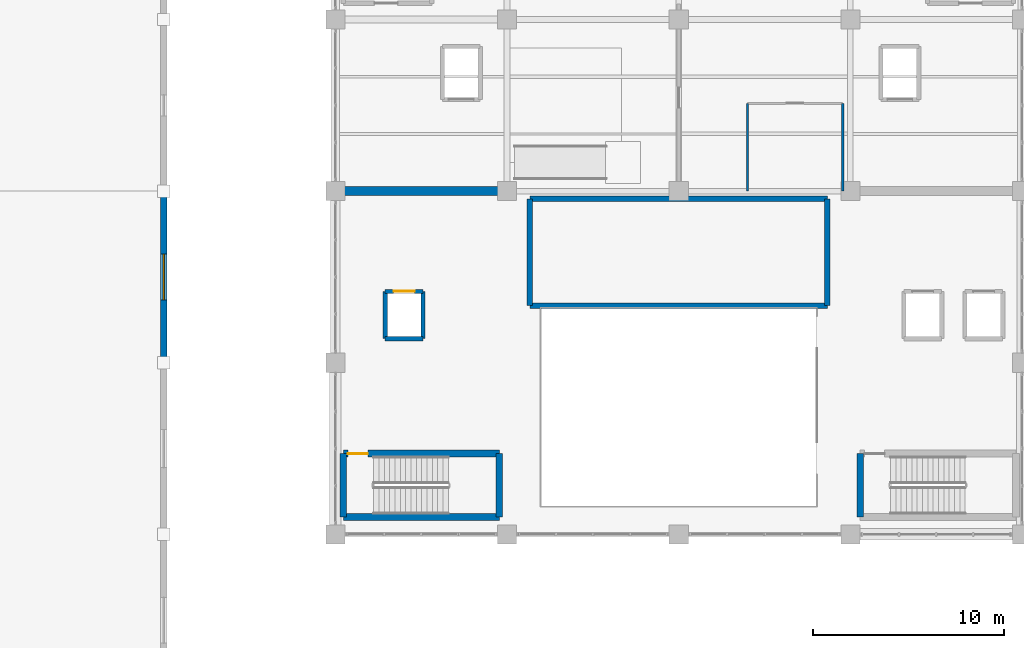
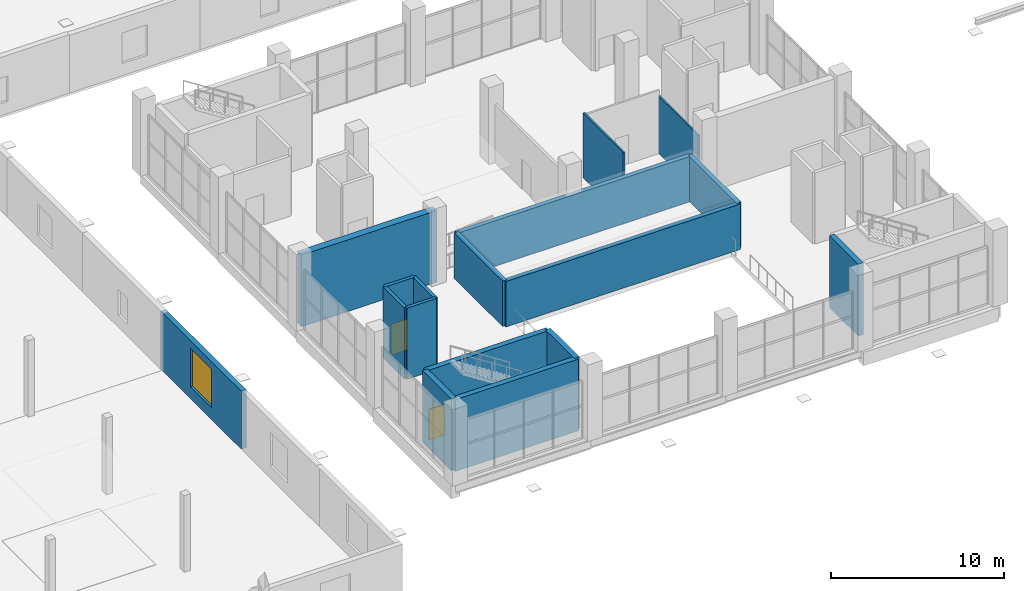
# One storey, part 129 of 147: 17 walls, 2 doors, 1 window, 3 openings.
"""IFC4 building model written with IfcOpenShell, lengths in metres."""

from ifc_helpers import new_model, si_unit, direction, frame, frame_2d, origin, place, context, subcontext, project, spatial, rectangle, extrude, material, layer, layer_set, type_object, element, fill, save


model = new_model("IFC4")

# Units and contexts
model_context = context("Model", 3, precision=1e-05, world=origin(), true_north=direction((0.0, 1.0)))
body_context = subcontext(model_context, "Body", "Model", "MODEL_VIEW")
ifc_project = project(units=[si_unit("LENGTHUNIT", "METRE"), si_unit("AREAUNIT", "SQUARE_METRE"), si_unit("VOLUMEUNIT", "CUBIC_METRE"), si_unit("PLANEANGLEUNIT", "RADIAN"), si_unit("MASSUNIT", "GRAM", prefix="KILO")], contexts=[model_context])

# Site, building, storey
site_placement = place(None, origin())
site = spatial("IfcSite", under=ifc_project, at=site_placement, CompositionType="ELEMENT")
building_placement = place(site_placement, origin())
building = spatial("IfcBuilding", under=site, at=building_placement, Name="Sundgate Opera House", CompositionType="ELEMENT")
storey_placement = place(building_placement, frame((0.0, 0.0, 6.0)))
storey = spatial("IfcBuildingStorey", under=building, at=storey_placement, Name="L01", CompositionType="ELEMENT", Elevation=6.0)

# Wall
ifc_material_1 = material(Name="Concrete C40/50", Category="concrete")
ifc_layer_1 = layer(ifc_material_1, 0.35009765625)
ifc_layer_set_1 = layer_set([ifc_layer_1], Name="Concrete C40/50")
wall_type_1 = type_object("IfcWallType", Name="WL-CORE-350", PredefinedType="SHEAR", material=ifc_layer_set_1)
wall_1_placement = place(storey_placement, frame((36.409912109375, 42.909912109375, 0.0), z_axis=(0.0, 0.0, 1.0), x_axis=(1.0, 0.0, 0.0)))
element("IfcWall", 1, at=wall_1_placement, inside=storey, type_object=wall_type_1, Name="L01 C1 South Shaft Wall", PredefinedType="SHEAR", context=body_context, shape_type="SweptSolid", body=[
    extrude(rectangle(XDim=8.18017578125, YDim=0.35009765625, at=frame_2d((4.090087890625, 0.0))), origin(), (0.0, 0.0, 1.0), 5.050048828125),
])

# Wall, opening, door
wall_2_placement = place(storey_placement, frame((36.409912109375, 46.239990234375, 0.0), z_axis=(0.0, 0.0, 1.0), x_axis=(1.0, 0.0, 0.0)))
wall_2 = element("IfcWall", 2, at=wall_2_placement, inside=storey, type_object=wall_type_1, Name="L01 C1 North Shaft Wall", PredefinedType="SHEAR", context=body_context, shape_type="SweptSolid", body=[
    extrude(rectangle(XDim=8.18017578125, YDim=0.35009765625, at=frame_2d((4.090087890625, 0.0))), origin(), (0.0, 0.0, 1.0), 5.050048828125),
])
opening_1_placement = place(wall_2_placement, frame((0.239990234375, 0.0, 0.0)))
opening_1 = element("IfcOpeningElement", 3, at=opening_1_placement, cuts=wall_2, Name="Opening DI01", PredefinedType="OPENING", context=body_context, shape_type="SweptSolid", body=[
    extrude(rectangle(XDim=1.050048828125, YDim=2.179931640625, at=frame_2d((0.52490234375, 1.08984375))), frame((0.0, 0.18505859375, 0.0), z_axis=(0.0, -1.0, 0.0), x_axis=(1.0, 0.0, 0.0)), (0.0, 0.0, 1.0), 0.3701171875),
])
ifc_material_2 = material(Name="Acoustic hardwood timber and steel core", Category="steel")
door_type_1 = type_object("IfcDoorType", Name="DR-STAIR-1050x2180", OperationType="NOTDEFINED", PredefinedType="DOOR", material=ifc_material_2)
door_1_placement = place(opening_1_placement, origin())
door_1 = element("IfcDoor", 4, at=door_1_placement, inside=storey, type_object=door_type_1, Name="L01 C1 Stair Door D0027", OperationType="SINGLE_SWING_LEFT", OverallHeight=2.179931640625, OverallWidth=1.050048828125, PredefinedType="DOOR", context=body_context, shape_type="SweptSolid", body=[
    extrude(rectangle(XDim=1.050048828125, YDim=2.179931640625, at=frame_2d((0.52490234375, 1.08984375))), frame((0.0, 0.02490234375, 0.0), z_axis=(0.0, -1.0, 0.0), x_axis=(1.0, 0.0, 0.0)), (0.0, 0.0, 1.0), 0.050048828125),
])
fill(opening_1, door_1)

# Walls
for number, where, z_axis, x_axis, name in (
    (5, (36.409912109375, 42.909912109375, 0.0), (0.0, 0.0, 1.0), (0.0, 1.0, 0.0), "L01 C1 West Shaft Wall"),
    (6, (44.590087890625, 42.909912109375, 0.0), (0.0, 0.0, 1.0), (0.0, 1.0, 0.0), "L01 C1 East Shaft Wall"),
    (7, (63.510009765625, 42.909912109375, 0.0), (0.0, 0.0, 1.0), (0.0, 1.0, 0.0), "L01 C3 West Shaft Wall"),
):
    element("IfcWall", number, at=place(storey_placement, frame(where, z_axis=z_axis, x_axis=x_axis)), inside=storey, type_object=wall_type_1, Name=name, PredefinedType="SHEAR", context=body_context, shape_type="SweptSolid", body=[
        extrude(rectangle(XDim=3.330078125, YDim=0.35009765625, at=frame_2d((1.6650390625, 0.0))), origin(), (0.0, 0.0, 1.0), 5.050048828125),
    ])

# Wall, opening, window
ifc_material_3 = material(Name="Komstad limestone ashlar masonry", Category="masonry")
ifc_layer_2 = layer(ifc_material_3, 0.340087890625)
ifc_layer_set_2 = layer_set([ifc_layer_2], Name="Komstad limestone ashlar masonry")
wall_type_2 = type_object("IfcWallType", Name="WL-EXT-COLON-340", PredefinedType="SOLIDWALL", material=ifc_layer_set_2)
wall_3_placement = place(storey_placement, frame((27.0, 50.840087890625, 0.0), z_axis=(0.0, 0.0, 1.0), x_axis=(0.0, 1.0, 0.0)))
wall_3 = element("IfcWall", 8, at=wall_3_placement, inside=storey, type_object=wall_type_2, Name="L01 Harbour Bistro East Wall W0340", PredefinedType="SOLIDWALL", context=body_context, shape_type="SweptSolid", body=[
    extrude(rectangle(XDim=9.31982421875, YDim=0.340087890625, at=frame_2d((4.659912109375, 0.0))), origin(), (0.0, 0.0, 1.0), 4.0849609375),
])
opening_2_placement = place(wall_3_placement, frame((3.4599609375, 0.0, 0.85009765625)))
opening_2 = element("IfcOpeningElement", 9, at=opening_2_placement, cuts=wall_3, Name="Opening W07", PredefinedType="OPENING", context=body_context, shape_type="SweptSolid", body=[
    extrude(rectangle(XDim=2.39990234375, YDim=2.699951171875, at=frame_2d((1.199951171875, 1.35009765625))), frame((0.0, 0.179931640625, 0.0), z_axis=(0.0, -1.0, 0.0), x_axis=(1.0, 0.0, 0.0)), (0.0, 0.0, 1.0), 0.360107421875),
])
ifc_material_4 = material(Name="Low-iron triple glazing in patinated bronze frame", Category="glass")
window_type = type_object("IfcWindowType", Name="WN-HARB-2400x2700", PartitioningType="SINGLE_PANEL", PredefinedType="WINDOW", material=ifc_material_4)
window_placement = place(opening_2_placement, origin())
window = element("IfcWindow", 10, at=window_placement, inside=storey, type_object=window_type, Name="L01 Harbour Window WN0257", OverallHeight=2.699951171875, OverallWidth=2.39990234375, PartitioningType="SINGLE_PANEL", PredefinedType="WINDOW", context=body_context, shape_type="SweptSolid", body=[
    extrude(rectangle(XDim=2.39990234375, YDim=2.699951171875, at=frame_2d((1.199951171875, 1.35009765625))), frame((0.0, 0.030029296875, 0.0), z_axis=(0.0, -1.0, 0.0), x_axis=(1.0, 0.0, 0.0)), (0.0, 0.0, 1.0), 0.06005859375),
])
fill(opening_2, window)

# Wall
ifc_material_5 = material(Name="Fire-rated gypsum and mineral-wool shaft partition", Category="gypsum")
ifc_layer_3 = layer(ifc_material_5, 0.219970703125)
ifc_layer_set_3 = layer_set([ifc_layer_3], Name="Fire-rated gypsum and mineral-wool shaft partition")
wall_type_3 = type_object("IfcWallType", Name="WL-INT-FIRE-220", PredefinedType="PARTITIONING", material=ifc_layer_set_3)
wall_4_placement = place(storey_placement, frame((38.610107421875, 52.260009765625, 0.0), z_axis=(0.0, 0.0, 1.0), x_axis=(1.0, 0.0, 0.0)))
element("IfcWall", 11, at=wall_4_placement, inside=storey, type_object=wall_type_3, Name="L01 LF-03 South Shaft Wall", PredefinedType="PARTITIONING", context=body_context, shape_type="SweptSolid", body=[
    extrude(rectangle(XDim=1.97998046875, YDim=0.219970703125, at=frame_2d((0.989990234375, 0.0))), origin(), (0.0, 0.0, 1.0), 5.014892578125),
])

# Wall, opening, door
wall_5_placement = place(storey_placement, frame((38.610107421875, 54.739990234375, 0.0), z_axis=(0.0, 0.0, 1.0), x_axis=(1.0, 0.0, 0.0)))
wall_5 = element("IfcWall", 12, at=wall_5_placement, inside=storey, type_object=wall_type_3, Name="L01 LF-03 North Shaft Wall", PredefinedType="PARTITIONING", context=body_context, shape_type="SweptSolid", body=[
    extrude(rectangle(XDim=1.97998046875, YDim=0.219970703125, at=frame_2d((0.989990234375, 0.0))), origin(), (0.0, 0.0, 1.0), 5.014892578125),
])
opening_3_placement = place(wall_5_placement, frame((0.43994140625, 0.0, 0.0)))
opening_3 = element("IfcOpeningElement", 13, at=opening_3_placement, cuts=wall_5, Name="Opening LD1", PredefinedType="OPENING", context=body_context, shape_type="SweptSolid", body=[
    extrude(rectangle(XDim=1.10009765625, YDim=2.179931640625, at=frame_2d((0.550048828125, 1.08984375))), frame((0.0, 0.119873046875, 0.0), z_axis=(0.0, -1.0, 0.0), x_axis=(1.0, 0.0, 0.0)), (0.0, 0.0, 1.0), 0.239990234375),
])
ifc_material_6 = material(Name="Brushed stainless steel EN 1.4301", Category="steel")
door_type_2 = type_object("IfcDoorType", Name="DR-LIFT-1100x2180", OperationType="DOUBLE_DOOR_SLIDING", PredefinedType="DOOR", material=ifc_material_6)
door_2_placement = place(opening_3_placement, origin())
door_2 = element("IfcDoor", 14, at=door_2_placement, inside=storey, type_object=door_type_2, Name="L01 LF-03 Landing Door D0108", OperationType="DOUBLE_DOOR_SLIDING", OverallHeight=2.179931640625, OverallWidth=1.10009765625, PredefinedType="DOOR", context=body_context, shape_type="SweptSolid", body=[
    extrude(rectangle(XDim=1.10009765625, YDim=2.179931640625, at=frame_2d((0.550048828125, 1.08984375))), frame((0.0, 0.02490234375, 0.0), z_axis=(0.0, -1.0, 0.0), x_axis=(1.0, 0.0, 0.0)), (0.0, 0.0, 1.0), 0.050048828125),
])
fill(opening_3, door_2)

# Walls
for number, where, z_axis, x_axis, name in (
    (15, (38.610107421875, 52.260009765625, 0.0), (0.0, 0.0, 1.0), (0.0, 1.0, 0.0), "L01 LF-03 West Shaft Wall"),
    (16, (40.590087890625, 52.260009765625, 0.0), (0.0, 0.0, 1.0), (0.0, 1.0, 0.0), "L01 LF-03 East Shaft Wall"),
):
    element("IfcWall", number, at=place(storey_placement, frame(where, z_axis=z_axis, x_axis=x_axis)), inside=storey, type_object=wall_type_3, Name=name, PredefinedType="PARTITIONING", context=body_context, shape_type="SweptSolid", body=[
        extrude(rectangle(XDim=2.47998046875, YDim=0.219970703125, at=frame_2d((1.239990234375, 0.0))), origin(), (0.0, 0.0, 1.0), 5.014892578125),
    ])
ifc_material_7 = material(Name="Moisture-resistant sanitary partition", Category="gypsum")
ifc_layer_4 = layer(ifc_material_7, 0.114990234375)
ifc_layer_set_4 = layer_set([ifc_layer_4], Name="Moisture-resistant sanitary partition")
wall_type_4 = type_object("IfcWallType", Name="WL-INT-WET-115", PredefinedType="PARTITIONING", material=ifc_layer_set_4)
wall_6_placement = place(storey_placement, frame((57.60009765625, 60.0, 0.0), z_axis=(0.0, 0.0, 1.0), x_axis=(0.0, 1.0, 0.0)))
element("IfcWall", 17, at=wall_6_placement, inside=storey, type_object=wall_type_4, Name="L01 Interior Partition W1027", PredefinedType="PARTITIONING", context=body_context, shape_type="SweptSolid", body=[
    extrude(rectangle(XDim=4.60009765625, YDim=0.114990234375, at=frame_2d((2.300048828125, 0.0))), origin(), (0.0, 0.0, 1.0), 4.594970703125),
])
wall_7_placement = place(storey_placement, frame((62.60009765625, 60.0, 0.0), z_axis=(0.0, 0.0, 1.0), x_axis=(0.0, 1.0, 0.0)))
element("IfcWall", 18, at=wall_7_placement, inside=storey, type_object=wall_type_4, Name="L01 Interior Partition W1028", PredefinedType="PARTITIONING", context=body_context, shape_type="SweptSolid", body=[
    extrude(rectangle(XDim=4.60009765625, YDim=0.114990234375, at=frame_2d((2.300048828125, 0.0))), origin(), (0.0, 0.0, 1.0), 4.044921875),
])
ifc_material_8 = material(Name="Concrete C40/50", Category="concrete")
ifc_layer_5 = layer(ifc_material_8, 0.47998046875)
ifc_layer_set_5 = layer_set([ifc_layer_5], Name="Concrete C40/50")
wall_type_5 = type_object("IfcWallType", Name="WL-PROS-480", PredefinedType="SHEAR", material=ifc_layer_set_5)
wall_8_placement = place(storey_placement, frame((36.0, 60.0, 0.0), z_axis=(0.0, 0.0, 1.0), x_axis=(1.0, 0.0, 0.0)))
element("IfcWall", 19, at=wall_8_placement, inside=storey, type_object=wall_type_5, Name="L01 Proscenium Shear Wall W0012", PredefinedType="SHEAR", context=body_context, shape_type="SweptSolid", body=[
    extrude(rectangle(XDim=9.0, YDim=0.47998046875, at=frame_2d((4.5, 0.0))), origin(), (0.0, 0.0, 1.0), 5.050048828125),
])
ifc_material_9 = material(Name="Concrete C35/45", Category="concrete")
ifc_layer_6 = layer(ifc_material_9, 0.2900390625)
ifc_layer_set_6 = layer_set([ifc_layer_6], Name="Concrete C35/45")
wall_type_6 = type_object("IfcWallType", Name="WL-SHFT-290", PredefinedType="SHEAR", material=ifc_layer_set_6)
for number, where, z_axis, x_axis, name in (
    (20, (46.199951171875, 54.0, 0.0), (0.0, 0.0, 1.0), (1.0, 0.0, 0.0), "L01 Orchestra Pit Support Wall W0032"),
    (21, (46.199951171875, 59.60009765625, 0.0), (0.0, 0.0, 1.0), (1.0, 0.0, 0.0), "L01 Orchestra Pit Support Wall W0033"),
):
    element("IfcWall", number, at=place(storey_placement, frame(where, z_axis=z_axis, x_axis=x_axis)), inside=storey, type_object=wall_type_6, Name=name, PredefinedType="SHEAR", context=body_context, shape_type="SweptSolid", body=[
        extrude(rectangle(XDim=15.60009765625, YDim=0.2900390625, at=frame_2d((7.800048828125, 0.0))), origin(), (0.0, 0.0, 1.0), 3.199951171875),
    ])
for number, where, z_axis, x_axis, name in (
    (22, (46.199951171875, 54.0, 0.0), (0.0, 0.0, 1.0), (0.0, 1.0, 0.0), "L01 Orchestra Pit Support Wall W0034"),
    (23, (61.800048828125, 54.0, 0.0), (0.0, 0.0, 1.0), (0.0, 1.0, 0.0), "L01 Orchestra Pit Support Wall W0035"),
):
    element("IfcWall", number, at=place(storey_placement, frame(where, z_axis=z_axis, x_axis=x_axis)), inside=storey, type_object=wall_type_6, Name=name, PredefinedType="SHEAR", context=body_context, shape_type="SweptSolid", body=[
        extrude(rectangle(XDim=5.60009765625, YDim=0.2900390625, at=frame_2d((2.800048828125, 0.0))), origin(), (0.0, 0.0, 1.0), 3.199951171875),
    ])

save(model, "model.ifc")
